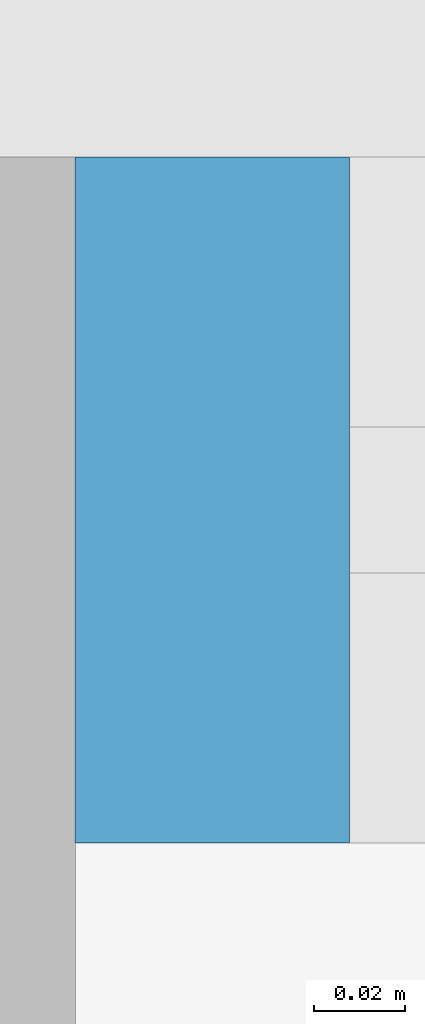
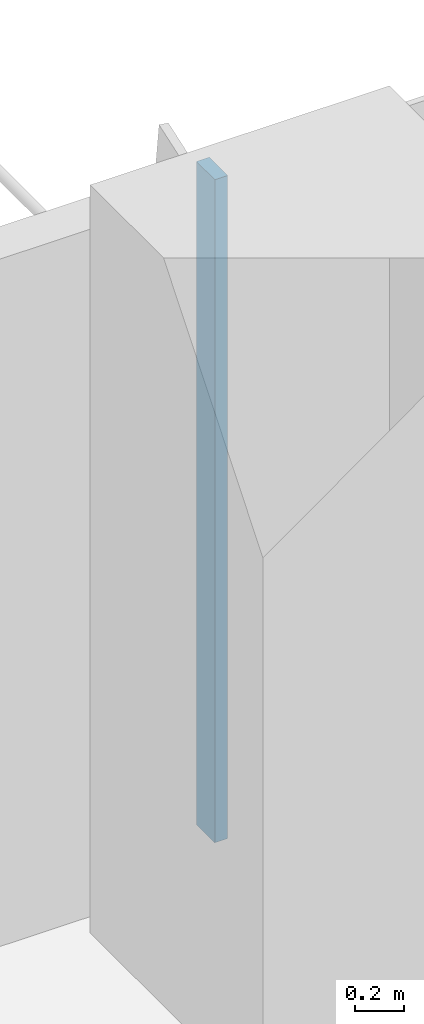
# One storey, part 3 of 23: 1 member, 1 element without a shape of its own.
"""IFC4 building model written with IfcOpenShell, lengths in metres."""

from ifc_helpers import new_model, si_unit, direction, frame, origin, origin_2d, place, context, subcontext, project, spatial, rectangle, extrude, source, transform, mapped, material, material_profile, profile_set, type_object, element, aggregate, save


model = new_model("IFC4")

# Units and contexts
model_context = context("Model", 3, precision=1e-05, world=origin(), true_north=direction((0.0, 1.0)))
body_context = subcontext(model_context, "Body", "Model", "MODEL_VIEW")
ifc_project = project(units=[si_unit("LENGTHUNIT", "METRE"), si_unit("AREAUNIT", "SQUARE_METRE"), si_unit("VOLUMEUNIT", "CUBIC_METRE"), si_unit("PLANEANGLEUNIT", "RADIAN"), si_unit("MASSUNIT", "GRAM", prefix="KILO")], contexts=[model_context])

# Site, building, storey
site_placement = place(None, origin())
site = spatial("IfcSite", under=ifc_project, at=site_placement, CompositionType="ELEMENT")
building_placement = place(site_placement, origin())
building = spatial("IfcBuilding", under=site, at=building_placement, Name="Kemantara Hotel Tower", CompositionType="ELEMENT")
storey_placement = place(building_placement, frame((0.0, 0.0, 34.0)))
storey = spatial("IfcBuildingStorey", under=building, at=storey_placement, Name="L06", CompositionType="ELEMENT", Elevation=34.0)

# Curtain wall, member
ifc_material_1 = material(Name="Toughened tinted glass 32 mm", Category="glass")
curtain_wall_type = type_object("IfcCurtainWallType", Name="TERRACE GLAZING WALL", PredefinedType="USERDEFINED", material=ifc_material_1)
curtain_wall_placement = place(storey_placement, origin())
curtain_wall = element("IfcCurtainWall", 1, at=curtain_wall_placement, inside=storey, type_object=curtain_wall_type, Name="CW6 L06 T1-R07-1", ObjectType="TERRACE GLAZING WALL", PredefinedType="USERDEFINED")
ifc_material_2 = material(Name="Aluminium 6063-T6 bronze anodised", Category="aluminium")
ifc_material_profile = material_profile(ifc_material_2, rectangle(XDim=0.14990234375, YDim=0.06005859375, at=origin_2d()), Name="TERRACE GLAZING WALL MULLION")
ifc_profile_set = profile_set([ifc_material_profile], Name="Aluminium 6063-T6 bronze anodised")
member_type = type_object("IfcMemberType", Name="TERRACE GLAZING WALL MULLION", PredefinedType="MULLION", material=ifc_profile_set)
shared_shape = source(origin(), body_context, "Body", "SweptSolid", [
    extrude(rectangle(XDim=0.14990234375, YDim=0.06005859375, at=origin_2d()), origin(), (0.0, 0.0, 1.0), 3.27978515625),
])
member_placement = place(storey_placement, frame((62.60009765625, 26.72509765625, 0.1201171875), z_axis=(0.0, 0.0, 1.0), x_axis=(0.0, -1.0, 0.0)))
member = element("IfcMember", 2, at=member_placement, type_object=member_type, Name="CW6 mullion T1-R07-1.5", PredefinedType="MULLION", context=body_context, shape_type="MappedRepresentation", body=[
    mapped(shared_shape, transform((0.0, 0.0, 0.0))),
])
aggregate(curtain_wall, [member])

save(model, "model.ifc")
